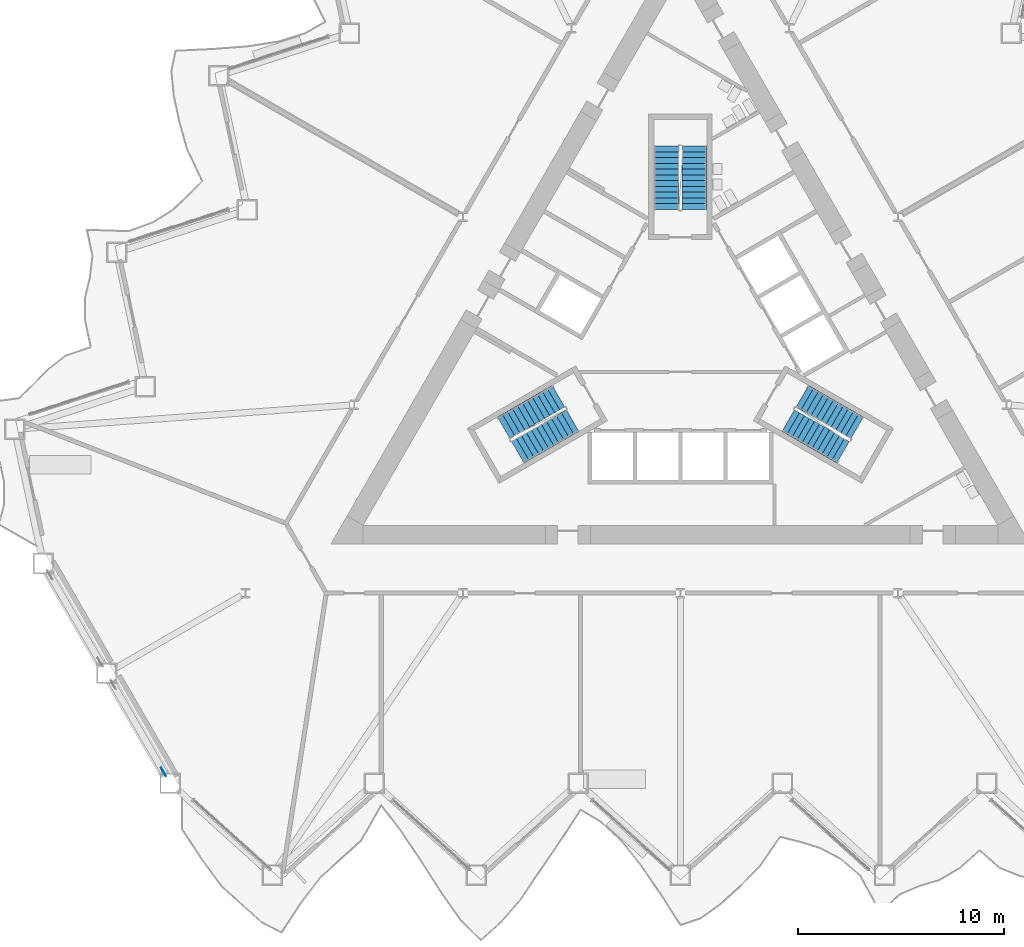
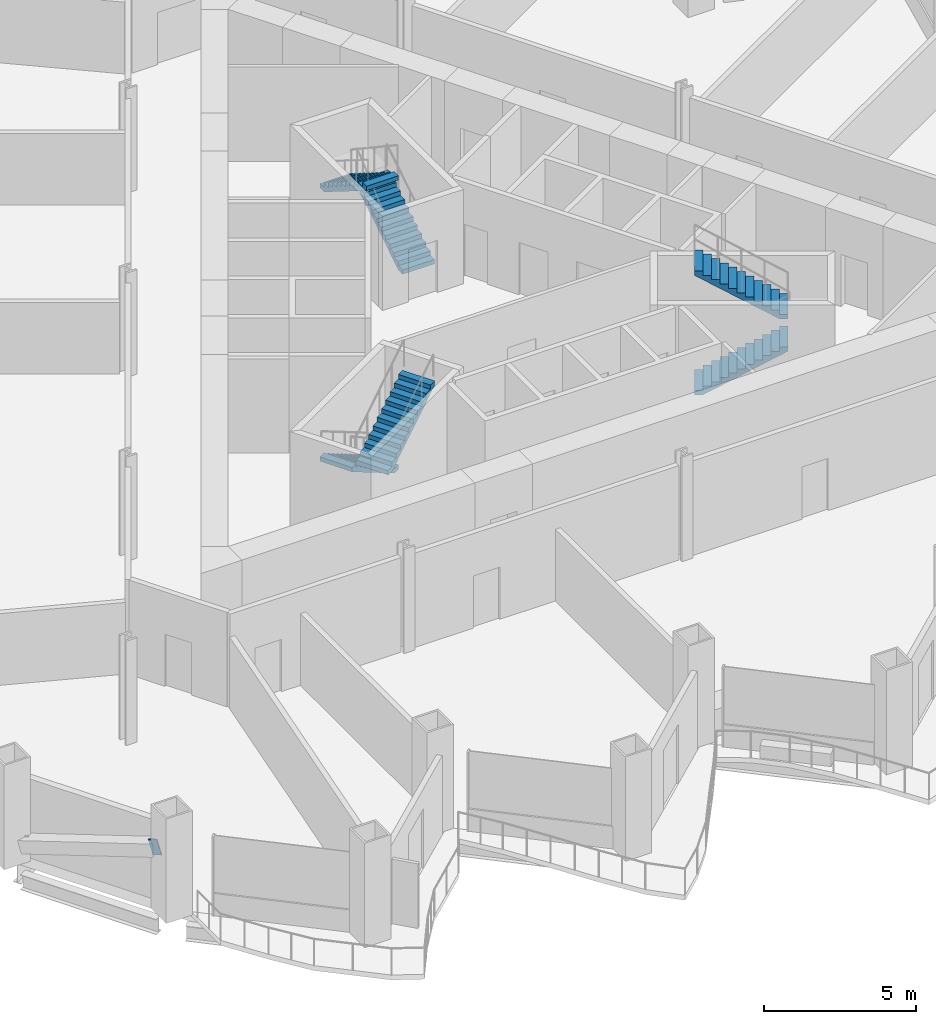
# One storey, part 13 of 21: 6 stair flights, 1 discrete accessory, 3 elements without a shape of their own.
"""IFC4 building model written with IfcOpenShell, lengths in metres."""

import ifcopenshell
import ifcopenshell.guid

model = None  # the IFC model being written
_history = None  # IfcOwnerHistory: only IFC2X3 demands one
_inside = {}  # id of a spatial element -> (the spatial element, [elements in it])
_under = {}  # id of a project, library or spatial element -> (it, [spatial elements below it])
_declared = {}  # id of a project -> (the project, [libraries it declares])
_typed = {}  # id of a type object -> (the type object, [elements of that type])
_made_of = {}  # id of a material, layer set ... -> (it, [elements and type objects made of it])


def new_model(schema):
    """Start an empty IFC model of exactly this schema.

    Asked for "IFC4X3", IfcOpenShell would pick the latest addendum, in which some entities
    have other attributes; the version numbers below select the first issue.
    IFC2X3 requires an IfcOwnerHistory on every rooted entity: one is made here for all.
    """
    global model, _history
    if schema == "IFC4X3":
        model = ifcopenshell.file(schema_version=(4, 3, 0, 0))
    else:
        model = ifcopenshell.file(schema=schema)
    _inside.clear()
    _under.clear()
    _declared.clear()
    _typed.clear()
    _made_of.clear()
    _history = None
    if model.schema == "IFC2X3":
        org = make("IfcOrganization", Name="unknown")
        user = make(
            "IfcPersonAndOrganization",
            ThePerson=make("IfcPerson", FamilyName="unknown"),
            TheOrganization=org,
        )
        app = make(
            "IfcApplication",
            ApplicationDeveloper=org,
            Version="unknown",
            ApplicationFullName="unknown",
            ApplicationIdentifier="unknown",
        )
        _history = make(
            "IfcOwnerHistory",
            OwningUser=user,
            OwningApplication=app,
            ChangeAction="ADDED",
            CreationDate=0,
        )
    return model


def make(cls, **values):
    """One entity of the class cls with the attributes given. An attribute that is None is left unset."""
    return model.create_entity(
        cls, **{name: value for name, value in values.items() if value is not None}
    )


def rooted(cls, **values):
    """An entity with a GlobalId (a new one), such as an element, a storey or a relation."""
    return make(cls, GlobalId=ifcopenshell.guid.new(), OwnerHistory=_history, **values)


def si_unit(unit_type, name, prefix=None):
    """IfcSIUnit, for example si_unit("LENGTHUNIT", "METRE", prefix="MILLI")."""
    return make("IfcSIUnit", UnitType=unit_type, Prefix=prefix, Name=name)


def assignment(units):
    """IfcUnitAssignment: the units of a project."""
    return None if units is None else make("IfcUnitAssignment", Units=units)


def point(xyz):
    """IfcCartesianPoint."""
    return None if xyz is None else make("IfcCartesianPoint", Coordinates=xyz)


def direction(xyz):
    """IfcDirection."""
    return None if xyz is None else make("IfcDirection", DirectionRatios=xyz)


def frame(location, z_axis=None, x_axis=None):
    """IfcAxis2Placement3D, a coordinate frame: its origin and axes. An axis left out is left unset."""
    return make(
        "IfcAxis2Placement3D",
        Location=point(location),
        Axis=direction(z_axis),
        RefDirection=direction(x_axis),
    )


def frame_2d(location, x_axis=None):
    """IfcAxis2Placement2D, a coordinate frame in the plane: its origin and x axis."""
    return make(
        "IfcAxis2Placement2D", Location=point(location), RefDirection=direction(x_axis)
    )


def origin():
    """The frame at (0, 0, 0) with its axes left unset."""
    return frame((0.0, 0.0, 0.0))


def origin_2d():
    """The frame at (0, 0) in the plane with its x axis left unset."""
    return frame_2d((0.0, 0.0))


def place(relative_to, where):
    """IfcLocalPlacement: puts the frame where relative to a parent placement (None: the world)."""
    return make(
        "IfcLocalPlacement", PlacementRelTo=relative_to, RelativePlacement=where
    )


def context(
    kind, dimensions, precision=None, world=None, true_north=None, identifier=None
):
    """IfcGeometricRepresentationContext, for example the 3D "Model" context."""
    return make(
        "IfcGeometricRepresentationContext",
        ContextIdentifier=identifier,
        ContextType=kind,
        CoordinateSpaceDimension=dimensions,
        Precision=precision,
        WorldCoordinateSystem=world,
        TrueNorth=true_north,
    )


def subcontext(parent, identifier, kind, view, scale=None):
    """IfcGeometricRepresentationSubContext, for example "Body" below "Model"."""
    return make(
        "IfcGeometricRepresentationSubContext",
        ContextIdentifier=identifier,
        ContextType=kind,
        ParentContext=parent,
        TargetScale=scale,
        TargetView=view,
    )


def project(units=None, contexts=None):
    """IfcProject with its units and contexts."""
    return rooted(
        "IfcProject",
        Name="project",
        RepresentationContexts=contexts,
        UnitsInContext=assignment(units),
    )


def spatial(cls, under=None, at=None, **own):
    """A site, building, storey or space (cls), placed at a placement, below another one or the project."""
    s = rooted(cls, ObjectPlacement=at, **own)
    if under is not None:
        _under.setdefault(under.id(), (under, []))[1].append(s)
    return s


def polyline(points):
    """IfcPolyline through the points."""
    return make("IfcPolyline", Points=[point(p) for p in points])


def profile(cls, at=None, kind="AREA", **sizes):
    """A parametric profile (cls). Its sizes go by their IFC names, for example OverallWidth=200.0."""
    return make(cls, ProfileType=kind, Position=at, **sizes)


def rectangle(**sizes):
    """IfcRectangleProfileDef."""
    return profile("IfcRectangleProfileDef", **sizes)


def outline(outer, holes=None, kind="AREA"):
    """IfcArbitraryClosedProfileDef: a profile drawn as a closed curve; with holes, ...WithVoids."""
    if holes is None:
        return make("IfcArbitraryClosedProfileDef", ProfileType=kind, OuterCurve=outer)
    return make(
        "IfcArbitraryProfileDefWithVoids",
        ProfileType=kind,
        OuterCurve=outer,
        InnerCurves=holes,
    )


def extrude(swept, where, along, depth):
    """IfcExtrudedAreaSolid: the profile swept, set in the frame where, extruded along a direction by depth."""
    return make(
        "IfcExtrudedAreaSolid",
        SweptArea=swept,
        Position=where,
        ExtrudedDirection=direction(along),
        Depth=depth,
    )


def shape(context_of_items, identifier, shape_type, items):
    """IfcShapeRepresentation: the items that make up one representation, for example the "Body"."""
    return make(
        "IfcShapeRepresentation",
        ContextOfItems=context_of_items,
        RepresentationIdentifier=identifier,
        RepresentationType=shape_type,
        Items=items,
    )


def material(Name=None, Category=None):
    """IfcMaterial."""
    return make("IfcMaterial", Name=Name, Category=Category)


def material_profile(
    of_material, cross_section, Name=None, Category=None, Priority=None
):
    """IfcMaterialProfile: a cross section and its material."""
    return make(
        "IfcMaterialProfile",
        Name=Name,
        Material=of_material,
        Profile=cross_section,
        Priority=Priority,
        Category=Category,
    )


def profile_set(profiles, Name=None, composite=None):
    """IfcMaterialProfileSet."""
    return make(
        "IfcMaterialProfileSet",
        Name=Name,
        MaterialProfiles=profiles,
        CompositeProfile=composite,
    )


def made_of(thing, what):
    """Note that an element or type object is made of a material, layer set ...; save() writes the relation."""
    if what is not None:
        _made_of.setdefault(what.id(), (what, []))[1].append(thing)
    return thing


def type_object(cls, material=None, **own):
    """A type object (cls), such as IfcWallType, which elements share."""
    return made_of(rooted(cls, **own), material)


def element(
    cls,
    number,
    at=None,
    inside=None,
    cuts=None,
    type_object=None,
    material=None,
    context=None,
    identifier="Body",
    shape_type=None,
    held_by="IfcProductDefinitionShape",
    body=None,
    shapes=None,
    **own,
):
    """One element of the class cls, such as IfcWall. Its Tag is "e" and its number.

    at: its placement. inside: the storey or other place that contains it. cuts: it is an
    opening in that element (IfcRelVoidsElement). A single representation is given by context,
    identifier, shape_type and body (its items); several are given by shapes. held_by: the class
    of the entity that holds the representations. save() writes the other relations.
    """
    e = rooted(cls, Tag="e%d" % number, ObjectPlacement=at, **own)
    if body is not None:
        shapes = [shape(context, identifier, shape_type, body)]
    if shapes is not None:
        e.Representation = make(held_by, Representations=shapes)
    if inside is not None:
        _inside.setdefault(inside.id(), (inside, []))[1].append(e)
    if cuts is not None:
        rooted(
            "IfcRelVoidsElement", RelatingBuildingElement=cuts, RelatedOpeningElement=e
        )
    if type_object is not None:
        _typed.setdefault(type_object.id(), (type_object, []))[1].append(e)
    return made_of(e, material)


def aggregate(whole, parts):
    """IfcRelAggregates: a whole, such as a stair, and the parts it consists of."""
    return rooted("IfcRelAggregates", RelatingObject=whole, RelatedObjects=parts)


def save(model, path):
    """Write the relations noted so far, then the file.

    IfcRelAggregates (storeys below a building ...), IfcRelContainedInSpatialStructure (elements
    in a storey), IfcRelDefinesByType, IfcRelAssociatesMaterial and IfcRelDeclares: one each for
    every whole, place, type object, material and project.
    """
    for whole, parts in _under.values():
        aggregate(whole, parts)
    for where, things in _inside.values():
        rooted(
            "IfcRelContainedInSpatialStructure",
            RelatedElements=things,
            RelatingStructure=where,
        )
    for kind, things in _typed.values():
        rooted("IfcRelDefinesByType", RelatedObjects=things, RelatingType=kind)
    for what, things in _made_of.values():
        rooted("IfcRelAssociatesMaterial", RelatedObjects=things, RelatingMaterial=what)
    for by, libraries in _declared.values():
        rooted("IfcRelDeclares", RelatingContext=by, RelatedDefinitions=libraries)
    model.write(path)


model = new_model("IFC4")

# Units and contexts
model_context = context("Model", 3, precision=1e-05, world=origin(), true_north=direction((0.0, 1.0)))
body_context = subcontext(model_context, "Body", "Model", "MODEL_VIEW")
ifc_project = project(units=[si_unit("LENGTHUNIT", "METRE"), si_unit("AREAUNIT", "SQUARE_METRE"), si_unit("VOLUMEUNIT", "CUBIC_METRE"), si_unit("PLANEANGLEUNIT", "RADIAN"), si_unit("MASSUNIT", "GRAM", prefix="KILO")], contexts=[model_context])

# Site, building, storey
site_placement = place(None, origin())
site = spatial("IfcSite", under=ifc_project, at=site_placement, CompositionType="ELEMENT")
building_placement = place(site_placement, origin())
building = spatial("IfcBuilding", under=site, at=building_placement, Name="Cormorant Prow Tower", CompositionType="ELEMENT")
storey_placement = place(building_placement, frame((0.0, 0.0, 46.800048828125)))
storey = spatial("IfcBuildingStorey", under=building, at=storey_placement, Name="L09", CompositionType="ELEMENT", Elevation=46.800048828125)

# Stair, stair flights
ifc_material_1 = material(Name="Exit stair 24 risers")
stair_type = type_object("IfcStairType", Name="Exit stair 24 risers", PredefinedType="HALF_TURN_STAIR", material=ifc_material_1)
stair_1_placement = place(storey_placement, origin())
stair_1 = element("IfcStair", 1, at=stair_1_placement, inside=storey, type_object=stair_type, Name="L09 Exit stair ST1", PredefinedType="HALF_TURN_STAIR")
ifc_material_2 = material(Name="Concrete 5000 psi", Category="concrete")
stair_flight_type = type_object("IfcStairFlightType", Name="Stair flight 1219", PredefinedType="STRAIGHT", material=ifc_material_2)
stair_flight_1_placement = place(storey_placement, frame((-5.93310546875, -2.635009765625, 0.0), z_axis=(0.0, 0.0, 1.0), x_axis=(-0.866025403784, -0.5, 0.0)))
stair_flight_1 = element("IfcStairFlight", 2, at=stair_flight_1_placement, type_object=stair_flight_type, Name="ST1 flight 1", NumberOfRisers=12, NumberOfTreads=11, PredefinedType="STRAIGHT", RiserHeight=0.175, TreadLength=0.28, context=body_context, shape_type="SweptSolid", body=[
    extrude(outline(polyline([(0.0, 0.0), (0.0, 0.175048828125), (0.280029296875, 0.175048828125), (0.280029296875, 0.35009765625), (0.56005859375, 0.35009765625), (0.56005859375, 0.52490234375), (0.840087890625, 0.52490234375), (0.840087890625, 0.699951171875), (1.1201171875, 0.699951171875), (1.1201171875, 0.875), (1.39990234375, 0.875), (1.39990234375, 1.050048828125), (1.679931640625, 1.050048828125), (1.679931640625, 1.22509765625), (1.9599609375, 1.22509765625), (1.9599609375, 1.39990234375), (2.239990234375, 1.39990234375), (2.239990234375, 1.574951171875), (2.52001953125, 1.574951171875), (2.52001953125, 1.75), (2.800048828125, 1.75), (2.800048828125, 1.925048828125), (3.080078125, 1.925048828125), (3.080078125, 2.10009765625), (3.080078125, 1.748291015625), (0.28271484375, 0.0), (0.0, 0.0)])), frame((0.0, 0.609375, 0.0), z_axis=(0.0, -1.0, 0.0), x_axis=(1.0, 0.0, 0.0)), (0.0, 0.0, 1.0), 1.218994140625),
])
stair_flight_2_placement = place(storey_placement, frame((-7.916015625, -5.360595703125, 2.099853515625), z_axis=(0.0, 0.0, 1.0), x_axis=(0.866025403784, 0.5, 0.0)))
stair_flight_2 = element("IfcStairFlight", 3, at=stair_flight_2_placement, type_object=stair_flight_type, Name="ST1 flight 2", NumberOfRisers=12, NumberOfTreads=11, PredefinedType="STRAIGHT", RiserHeight=0.175, TreadLength=0.28, context=body_context, shape_type="SweptSolid", body=[
    extrude(outline(polyline([(0.0, 0.0), (0.0, 0.175048828125), (0.280029296875, 0.175048828125), (0.280029296875, 0.35009765625), (0.56005859375, 0.35009765625), (0.56005859375, 0.52490234375), (0.840087890625, 0.52490234375), (0.840087890625, 0.699951171875), (1.1201171875, 0.699951171875), (1.1201171875, 0.875), (1.39990234375, 0.875), (1.39990234375, 1.050048828125), (1.679931640625, 1.050048828125), (1.679931640625, 1.22509765625), (1.9599609375, 1.22509765625), (1.9599609375, 1.39990234375), (2.239990234375, 1.39990234375), (2.239990234375, 1.574951171875), (2.52001953125, 1.574951171875), (2.52001953125, 1.75), (2.800048828125, 1.75), (2.800048828125, 1.925048828125), (3.080078125, 1.925048828125), (3.080078125, 2.10009765625), (3.080078125, 1.748291015625), (0.28271484375, 0.0), (0.0, 0.0)])), frame((0.0, 0.609375, 0.0), z_axis=(0.0, -1.0, 0.0), x_axis=(1.0, 0.0, 0.0)), (0.0, 0.0, 1.0), 1.218994140625),
])
aggregate(stair_1, [stair_flight_1, stair_flight_2])

stair_2_placement = place(storey_placement, origin())
stair_2 = element("IfcStair", 4, at=stair_2_placement, inside=storey, type_object=stair_type, Name="L09 Exit stair ST2", PredefinedType="HALF_TURN_STAIR")
stair_flight_3_placement = place(storey_placement, frame((5.24853515625, -3.82080078125, 0.0), z_axis=(0.0, 0.0, 1.0), x_axis=(0.866025403784, -0.5, 0.0)))
stair_flight_3 = element("IfcStairFlight", 5, at=stair_flight_3_placement, type_object=stair_flight_type, Name="ST2 flight 1", NumberOfRisers=12, NumberOfTreads=11, PredefinedType="STRAIGHT", RiserHeight=0.175, TreadLength=0.28, context=body_context, shape_type="SweptSolid", body=[
    extrude(outline(polyline([(0.0, 0.0), (0.0, 0.175048828125), (0.280029296875, 0.175048828125), (0.280029296875, 0.35009765625), (0.56005859375, 0.35009765625), (0.56005859375, 0.52490234375), (0.840087890625, 0.52490234375), (0.840087890625, 0.699951171875), (1.1201171875, 0.699951171875), (1.1201171875, 0.875), (1.39990234375, 0.875), (1.39990234375, 1.050048828125), (1.679931640625, 1.050048828125), (1.679931640625, 1.22509765625), (1.9599609375, 1.22509765625), (1.9599609375, 1.39990234375), (2.239990234375, 1.39990234375), (2.239990234375, 1.574951171875), (2.52001953125, 1.574951171875), (2.52001953125, 1.75), (2.800048828125, 1.75), (2.800048828125, 1.925048828125), (3.080078125, 1.925048828125), (3.080078125, 2.10009765625), (3.080078125, 1.748291015625), (0.28271484375, 0.0), (0.0, 0.0)])), frame((0.0, 0.609375, 0.0), z_axis=(0.0, -1.0, 0.0), x_axis=(1.0, 0.0, 0.0)), (0.0, 0.0, 1.0), 1.218994140625),
])
stair_flight_4_placement = place(storey_placement, frame((8.6005859375, -4.175048828125, 2.099853515625), z_axis=(0.0, 0.0, 1.0), x_axis=(-0.866025403784, 0.5, 0.0)))
stair_flight_4 = element("IfcStairFlight", 6, at=stair_flight_4_placement, type_object=stair_flight_type, Name="ST2 flight 2", NumberOfRisers=12, NumberOfTreads=11, PredefinedType="STRAIGHT", RiserHeight=0.175, TreadLength=0.28, context=body_context, shape_type="SweptSolid", body=[
    extrude(outline(polyline([(0.0, 0.0), (0.0, 0.175048828125), (0.280029296875, 0.175048828125), (0.280029296875, 0.35009765625), (0.56005859375, 0.35009765625), (0.56005859375, 0.52490234375), (0.840087890625, 0.52490234375), (0.840087890625, 0.699951171875), (1.1201171875, 0.699951171875), (1.1201171875, 0.875), (1.39990234375, 0.875), (1.39990234375, 1.050048828125), (1.679931640625, 1.050048828125), (1.679931640625, 1.22509765625), (1.9599609375, 1.22509765625), (1.9599609375, 1.39990234375), (2.239990234375, 1.39990234375), (2.239990234375, 1.574951171875), (2.52001953125, 1.574951171875), (2.52001953125, 1.75), (2.800048828125, 1.75), (2.800048828125, 1.925048828125), (3.080078125, 1.925048828125), (3.080078125, 2.10009765625), (3.080078125, 1.748291015625), (0.28271484375, 0.0), (0.0, 0.0)])), frame((0.0, 0.609375, 0.0), z_axis=(0.0, -1.0, 0.0), x_axis=(1.0, 0.0, 0.0)), (0.0, 0.0, 1.0), 1.218994140625),
])
aggregate(stair_2, [stair_flight_3, stair_flight_4])

stair_3_placement = place(storey_placement, origin())
stair_3 = element("IfcStair", 7, at=stair_3_placement, inside=storey, type_object=stair_type, Name="L09 Exit stair ST3", PredefinedType="HALF_TURN_STAIR")
stair_flight_5_placement = place(storey_placement, frame((0.6845703125, 6.455810546875, 0.0), z_axis=(0.0, 0.0, 1.0), x_axis=(0.0, 1.0, 0.0)))
stair_flight_5 = element("IfcStairFlight", 8, at=stair_flight_5_placement, type_object=stair_flight_type, Name="ST3 flight 1", NumberOfRisers=12, NumberOfTreads=11, PredefinedType="STRAIGHT", RiserHeight=0.175, TreadLength=0.28, context=body_context, shape_type="SweptSolid", body=[
    extrude(outline(polyline([(0.0, 0.0), (0.0, 0.175048828125), (0.280029296875, 0.175048828125), (0.280029296875, 0.35009765625), (0.56005859375, 0.35009765625), (0.56005859375, 0.52490234375), (0.840087890625, 0.52490234375), (0.840087890625, 0.699951171875), (1.1201171875, 0.699951171875), (1.1201171875, 0.875), (1.39990234375, 0.875), (1.39990234375, 1.050048828125), (1.679931640625, 1.050048828125), (1.679931640625, 1.22509765625), (1.9599609375, 1.22509765625), (1.9599609375, 1.39990234375), (2.239990234375, 1.39990234375), (2.239990234375, 1.574951171875), (2.52001953125, 1.574951171875), (2.52001953125, 1.75), (2.800048828125, 1.75), (2.800048828125, 1.925048828125), (3.080078125, 1.925048828125), (3.080078125, 2.10009765625), (3.080078125, 1.748291015625), (0.28271484375, 0.0), (0.0, 0.0)])), frame((0.0, 0.609375, 0.0), z_axis=(0.0, -1.0, 0.0), x_axis=(1.0, 0.0, 0.0)), (0.0, 0.0, 1.0), 1.218994140625),
])
stair_flight_6_placement = place(storey_placement, frame((-0.6845703125, 9.535888671875, 2.099853515625), z_axis=(0.0, 0.0, 1.0), x_axis=(0.0, -1.0, 0.0)))
stair_flight_6 = element("IfcStairFlight", 9, at=stair_flight_6_placement, type_object=stair_flight_type, Name="ST3 flight 2", NumberOfRisers=12, NumberOfTreads=11, PredefinedType="STRAIGHT", RiserHeight=0.175, TreadLength=0.28, context=body_context, shape_type="SweptSolid", body=[
    extrude(outline(polyline([(0.0, 0.0), (0.0, 0.175048828125), (0.280029296875, 0.175048828125), (0.280029296875, 0.35009765625), (0.56005859375, 0.35009765625), (0.56005859375, 0.52490234375), (0.840087890625, 0.52490234375), (0.840087890625, 0.699951171875), (1.1201171875, 0.699951171875), (1.1201171875, 0.875), (1.39990234375, 0.875), (1.39990234375, 1.050048828125), (1.679931640625, 1.050048828125), (1.679931640625, 1.22509765625), (1.9599609375, 1.22509765625), (1.9599609375, 1.39990234375), (2.239990234375, 1.39990234375), (2.239990234375, 1.574951171875), (2.52001953125, 1.574951171875), (2.52001953125, 1.75), (2.800048828125, 1.75), (2.800048828125, 1.925048828125), (3.080078125, 1.925048828125), (3.080078125, 2.10009765625), (3.080078125, 1.748291015625), (0.28271484375, 0.0), (0.0, 0.0)])), frame((0.0, 0.609375, 0.0), z_axis=(0.0, -1.0, 0.0), x_axis=(1.0, 0.0, 0.0)), (0.0, 0.0, 1.0), 1.218994140625),
])
aggregate(stair_3, [stair_flight_5, stair_flight_6])

# Discrete accessory
ifc_material_3 = material(Name="Structural steel ASTM A500 Gr C", Category="steel")
ifc_material_profile = material_profile(ifc_material_3, rectangle(XDim=0.031982421875, YDim=0.60791015625, at=origin_2d()), Name="Gusset plate 32x608")
ifc_profile_set = profile_set([ifc_material_profile], Name="Structural steel ASTM A500 Gr C")
discrete_accessory_type = type_object("IfcDiscreteAccessoryType", Name="Gusset plate 32x608", PredefinedType="BRACKET", material=ifc_profile_set)
discrete_accessory_placement = place(storey_placement, frame((-25.232421875, -20.763427734375, 2.32958984375), z_axis=(0.475651503409, -0.824369614413, 0.306871937683), x_axis=(0.866161185697, 0.499764745047, 0.0)))
element("IfcDiscreteAccessory", 10, at=discrete_accessory_placement, inside=storey, type_object=discrete_accessory_type, Name="Gusset plate GP1 L09.WSW01.g1", PredefinedType="BRACKET", context=body_context, shape_type="SweptSolid", body=[
    extrude(rectangle(XDim=0.031982421875, YDim=0.60791015625, at=origin_2d()), origin(), (0.0, 0.0, 1.0), 0.35009765625),
])

save(model, "model.ifc")
